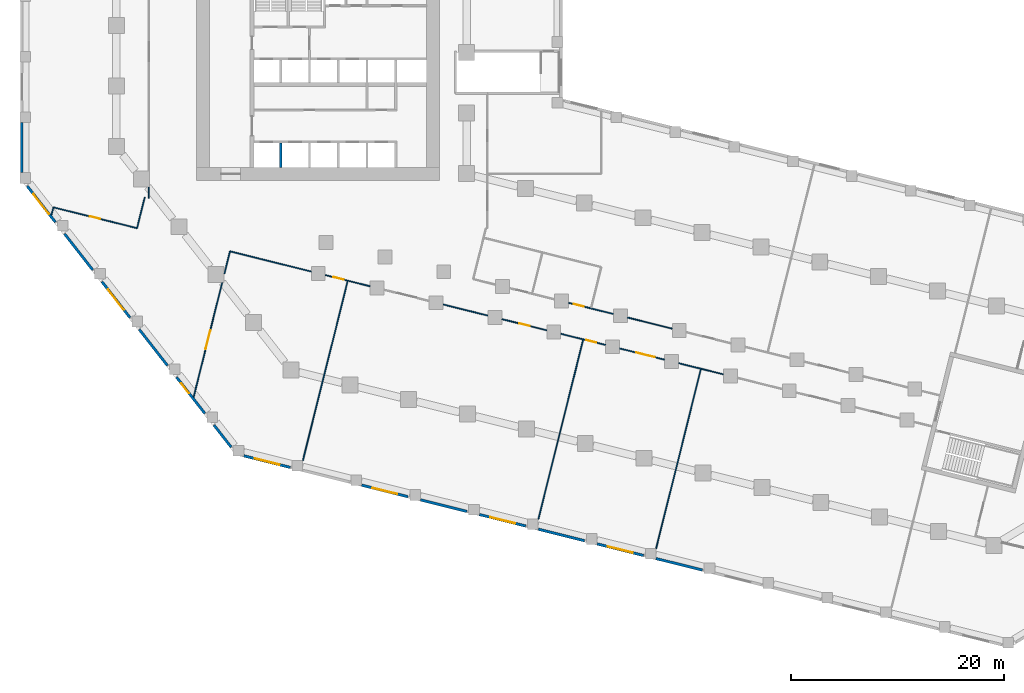
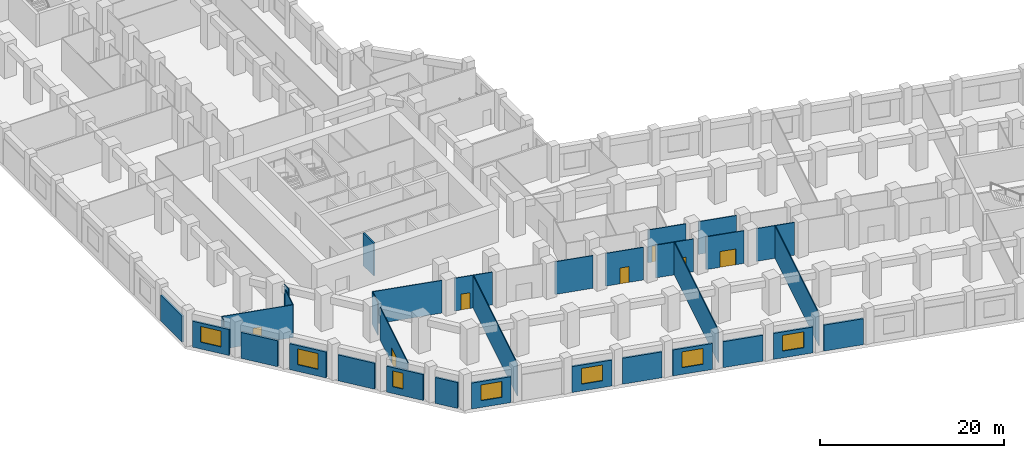
# One storey, part 4 of 13: 33 walls, 7 doors, 7 windows, 14 openings.
"""IFC4 building model written with IfcOpenShell, lengths in metres."""

from ifc_helpers import new_model, si_unit, direction, frame, frame_2d, origin, place, context, subcontext, project, spatial, rectangle, extrude, material, layer, layer_set, type_object, element, fill, save


model = new_model("IFC4")

# Units and contexts
model_context = context("Model", 3, precision=1e-05, world=origin(), true_north=direction((0.0, 1.0)))
body_context = subcontext(model_context, "Body", "Model", "MODEL_VIEW")
ifc_project = project(units=[si_unit("LENGTHUNIT", "METRE"), si_unit("AREAUNIT", "SQUARE_METRE"), si_unit("VOLUMEUNIT", "CUBIC_METRE"), si_unit("PLANEANGLEUNIT", "RADIAN"), si_unit("MASSUNIT", "GRAM", prefix="KILO")], contexts=[model_context])

# Site, building, storey
site_placement = place(None, origin())
site = spatial("IfcSite", under=ifc_project, at=site_placement, CompositionType="ELEMENT")
building_placement = place(site_placement, origin())
building = spatial("IfcBuilding", under=site, at=building_placement, Name="Meshkara Civic Tower", CompositionType="ELEMENT")
storey_placement = place(building_placement, frame((0.0, 0.0, 28.199951171875)))
storey = spatial("IfcBuildingStorey", under=building, at=storey_placement, Name="L05", CompositionType="ELEMENT", Elevation=28.199951171875)

# Wall
ifc_material_1 = material(Name="Corridor wall 100")
ifc_layer_1 = layer(ifc_material_1, 0.10009765625)
ifc_layer_set_1 = layer_set([ifc_layer_1], Name="Corridor wall 100")
wall_type_1 = type_object("IfcWallType", Name="Corridor wall 100", PredefinedType="PARTITIONING", material=ifc_layer_set_1)
wall_1_placement = place(storey_placement, frame((-5.464111328125, 11.56494140625, 0.0), z_axis=(0.0, 0.0, 1.0), x_axis=(-0.24207252228, -0.970258158408, 0.0)))
element("IfcWall", 1, at=wall_1_placement, inside=storey, type_object=wall_type_1, Name="L05-R001", PredefinedType="PARTITIONING", context=body_context, shape_type="SweptSolid", body=[
    extrude(rectangle(XDim=0.744384765625, YDim=0.10009765625, at=frame_2d((0.3720703125, 0.0))), origin(), (0.0, 0.0, 1.0), 4.35009765625),
])

# Wall, opening, door
wall_2_placement = place(storey_placement, frame((2.39501953125, 9.60595703125, 0.0), z_axis=(0.0, 0.0, 1.0), x_axis=(-0.97031070843, 0.241861797535, 0.0)))
wall_2 = element("IfcWall", 2, at=wall_2_placement, inside=storey, type_object=wall_type_1, Name="L05-R005", PredefinedType="PARTITIONING", context=body_context, shape_type="SweptSolid", body=[
    extrude(rectangle(XDim=8.099609375, YDim=0.10009765625, at=frame_2d((4.0498046875, 0.0))), origin(), (0.0, 0.0, 1.0), 4.35009765625),
])
opening_1_placement = place(wall_2_placement, frame((3.580078125, 0.0, 0.0)))
opening_1 = element("IfcOpeningElement", 3, at=opening_1_placement, cuts=wall_2, Name="Opening L05-P020", PredefinedType="OPENING", context=body_context, shape_type="SweptSolid", body=[
    extrude(rectangle(XDim=1.0, YDim=2.10009765625, at=frame_2d((0.5, 1.050048828125))), frame((0.0, 0.06005859375, 0.0), z_axis=(0.0, -1.0, 0.0), x_axis=(1.0, 0.0, 0.0)), (0.0, 0.0, 1.0), 0.1201171875),
])
ifc_material_2 = material(Name="Door 1000 x 2100")
door_type_1 = type_object("IfcDoorType", Name="Door 1000 x 2100", OperationType="SINGLE_SWING_LEFT", PredefinedType="DOOR", material=ifc_material_2)
door_1_placement = place(opening_1_placement, origin())
door_1 = element("IfcDoor", 4, at=door_1_placement, inside=storey, type_object=door_type_1, Name="L05-P020", OperationType="SINGLE_SWING_LEFT", OverallHeight=2.10009765625, OverallWidth=1.0, PredefinedType="DOOR", context=body_context, shape_type="SweptSolid", body=[
    extrude(rectangle(XDim=1.0, YDim=2.10009765625, at=frame_2d((0.5, 1.050048828125))), frame((0.0, 0.02490234375, 0.0), z_axis=(0.0, -1.0, 0.0), x_axis=(1.0, 0.0, 0.0)), (0.0, 0.0, 1.0), 0.050048828125),
])
fill(opening_1, door_1)

# Walls
wall_3_placement = place(storey_placement, frame((3.12109375, 12.51708984375, 0.0), z_axis=(0.0, 0.0, 1.0), x_axis=(-0.241999491975, -0.970276376031, 0.0)))
element("IfcWall", 5, at=wall_3_placement, inside=storey, type_object=wall_type_1, Name="L05-R006", PredefinedType="PARTITIONING", context=body_context, shape_type="SweptSolid", body=[
    extrude(rectangle(XDim=3.000244140625, YDim=0.10009765625, at=frame_2d((1.5, 0.0))), origin(), (0.0, 0.0, 1.0), 4.35009765625),
])
wall_4_placement = place(storey_placement, frame((3.5, 13.458984375, 0.0), z_axis=(0.0, 0.0, 1.0), x_axis=(0.0, -1.0, 0.0)))
element("IfcWall", 6, at=wall_4_placement, inside=storey, type_object=wall_type_1, Name="L05-R007", PredefinedType="PARTITIONING", context=body_context, shape_type="SweptSolid", body=[
    extrude(rectangle(XDim=1.035888671875, YDim=0.10009765625, at=frame_2d((0.51806640625, 0.0))), origin(), (0.0, 0.0, 1.0), 4.35009765625),
])

# Wall, opening, door
wall_5_placement = place(storey_placement, frame((7.715576171875, -6.25732421875, 0.0), z_axis=(0.0, 0.0, 1.0), x_axis=(0.241891576484, 0.970303285177, 0.0)))
wall_5 = element("IfcWall", 7, at=wall_5_placement, inside=storey, type_object=wall_type_1, Name="L05-R010", PredefinedType="PARTITIONING", context=body_context, shape_type="SweptSolid", body=[
    extrude(rectangle(XDim=11.060791015625, YDim=0.10009765625, at=frame_2d((5.5302734375, 0.0))), origin(), (0.0, 0.0, 1.0), 4.35009765625),
])
opening_2_placement = place(wall_5_placement, frame((4.644287109375, 0.0, 0.0)))
opening_2 = element("IfcOpeningElement", 8, at=opening_2_placement, cuts=wall_5, Name="Opening L05-P007", PredefinedType="OPENING", context=body_context, shape_type="SweptSolid", body=[
    extrude(rectangle(XDim=1.800048828125, YDim=2.10009765625, at=frame_2d((0.89990234375, 1.050048828125))), frame((0.0, 0.06005859375, 0.0), z_axis=(0.0, -1.0, 0.0), x_axis=(1.0, 0.0, 0.0)), (0.0, 0.0, 1.0), 0.1201171875),
])
ifc_material_3 = material(Name="Door pair 1800 x 2100")
door_type_2 = type_object("IfcDoorType", Name="Door pair 1800 x 2100", OperationType="SINGLE_SWING_LEFT", PredefinedType="DOOR", material=ifc_material_3)
door_2_placement = place(opening_2_placement, origin())
door_2 = element("IfcDoor", 9, at=door_2_placement, inside=storey, type_object=door_type_2, Name="L05-P007", OperationType="DOUBLE_DOOR_SINGLE_SWING", OverallHeight=2.10009765625, OverallWidth=1.800048828125, PredefinedType="DOOR", context=body_context, shape_type="SweptSolid", body=[
    extrude(rectangle(XDim=1.800048828125, YDim=2.10009765625, at=frame_2d((0.89990234375, 1.050048828125))), frame((0.0, 0.02490234375, 0.0), z_axis=(0.0, -1.0, 0.0), x_axis=(1.0, 0.0, 0.0)), (0.0, 0.0, 1.0), 0.050048828125),
])
fill(opening_2, door_2)

# Walls
wall_6_placement = place(storey_placement, frame((10.60302734375, 5.322998046875, 0.0), z_axis=(0.0, 0.0, 1.0), x_axis=(0.241847407238, 0.970314295273, 0.0)))
element("IfcWall", 10, at=wall_6_placement, inside=storey, type_object=wall_type_1, Name="L05-R018", PredefinedType="PARTITIONING", context=body_context, shape_type="SweptSolid", body=[
    extrude(rectangle(XDim=2.17041015625, YDim=0.10009765625, at=frame_2d((1.085205078125, 0.0))), origin(), (0.0, 0.0, 1.0), 4.35009765625),
])
wall_7_placement = place(storey_placement, frame((11.1279296875, 7.428955078125, 0.0), z_axis=(0.0, 0.0, 1.0), x_axis=(0.970281210621, -0.241980107272, 0.0)))
element("IfcWall", 11, at=wall_7_placement, inside=storey, type_object=wall_type_1, Name="L05-R021", PredefinedType="PARTITIONING", context=body_context, shape_type="SweptSolid", body=[
    extrude(rectangle(XDim=7.859619140625, YDim=0.10009765625, at=frame_2d((3.9296875, 0.0))), origin(), (0.0, 0.0, 1.0), 4.35009765625),
])

# Wall, opening, door
wall_8_placement = place(storey_placement, frame((20.093994140625, 5.193115234375, 0.0), z_axis=(0.0, 0.0, 1.0), x_axis=(0.970321828551, -0.241817181023, 0.0)))
wall_8 = element("IfcWall", 12, at=wall_8_placement, inside=storey, type_object=wall_type_1, Name="L05-R032", PredefinedType="PARTITIONING", context=body_context, shape_type="SweptSolid", body=[
    extrude(rectangle(XDim=4.318115234375, YDim=0.10009765625, at=frame_2d((2.1591796875, 0.0))), origin(), (0.0, 0.0, 1.0), 4.35009765625),
])
opening_3_placement = place(wall_8_placement, frame((0.780029296875, 0.0, 0.0)))
opening_3 = element("IfcOpeningElement", 13, at=opening_3_placement, cuts=wall_8, Name="Opening L05-P015", PredefinedType="OPENING", context=body_context, shape_type="SweptSolid", body=[
    extrude(rectangle(XDim=1.0, YDim=2.10009765625, at=frame_2d((0.5, 1.050048828125))), frame((0.0, 0.06005859375, 0.0), z_axis=(0.0, -1.0, 0.0), x_axis=(1.0, 0.0, 0.0)), (0.0, 0.0, 1.0), 0.1201171875),
])
door_3_placement = place(opening_3_placement, origin())
door_3 = element("IfcDoor", 14, at=door_3_placement, inside=storey, type_object=door_type_1, Name="L05-P015", OperationType="SINGLE_SWING_LEFT", OverallHeight=2.10009765625, OverallWidth=1.0, PredefinedType="DOOR", context=body_context, shape_type="SweptSolid", body=[
    extrude(rectangle(XDim=1.0, YDim=2.10009765625, at=frame_2d((0.5, 1.050048828125))), frame((0.0, 0.02490234375, 0.0), z_axis=(0.0, -1.0, 0.0), x_axis=(1.0, 0.0, 0.0)), (0.0, 0.0, 1.0), 0.050048828125),
])
fill(opening_3, door_3)

# Wall
wall_9_placement = place(storey_placement, frame((31.155029296875, 2.43505859375, 0.0), z_axis=(0.0, 0.0, 1.0), x_axis=(0.970348308202, -0.24171090329, 0.0)))
element("IfcWall", 15, at=wall_9_placement, inside=storey, type_object=wall_type_1, Name="L05-R042", PredefinedType="PARTITIONING", context=body_context, shape_type="SweptSolid", body=[
    extrude(rectangle(XDim=4.319091796875, YDim=0.10009765625, at=frame_2d((2.15966796875, 0.0))), origin(), (0.0, 0.0, 1.0), 4.35009765625),
])

# Wall, opening, door
wall_10_placement = place(storey_placement, frame((36.68603515625, 1.055908203125, 0.0), z_axis=(0.0, 0.0, 1.0), x_axis=(0.970335093604, -0.241763947107, 0.0)))
wall_10 = element("IfcWall", 16, at=wall_10_placement, inside=storey, type_object=wall_type_1, Name="L05-R052", PredefinedType="PARTITIONING", context=body_context, shape_type="SweptSolid", body=[
    extrude(rectangle(XDim=4.318115234375, YDim=0.10009765625, at=frame_2d((2.1591796875, 0.0))), origin(), (0.0, 0.0, 1.0), 4.35009765625),
])
opening_4_placement = place(wall_10_placement, frame((1.679931640625, 0.0, 0.0)))
opening_4 = element("IfcOpeningElement", 17, at=opening_4_placement, cuts=wall_10, Name="Opening L05-P018", PredefinedType="OPENING", context=body_context, shape_type="SweptSolid", body=[
    extrude(rectangle(XDim=1.0, YDim=2.10009765625, at=frame_2d((0.5, 1.050048828125))), frame((0.0, 0.06005859375, 0.0), z_axis=(0.0, -1.0, 0.0), x_axis=(1.0, 0.0, 0.0)), (0.0, 0.0, 1.0), 0.1201171875),
])
door_4_placement = place(opening_4_placement, origin())
door_4 = element("IfcDoor", 18, at=door_4_placement, inside=storey, type_object=door_type_1, Name="L05-P018", OperationType="SINGLE_SWING_RIGHT", OverallHeight=2.10009765625, OverallWidth=1.0, PredefinedType="DOOR", context=body_context, shape_type="SweptSolid", body=[
    extrude(rectangle(XDim=1.0, YDim=2.10009765625, at=frame_2d((0.5, 1.050048828125))), frame((0.0, 0.02490234375, 0.0), z_axis=(0.0, -1.0, 0.0), x_axis=(1.0, 0.0, 0.0)), (0.0, 0.0, 1.0), 0.050048828125),
])
fill(opening_4, door_4)

wall_11_placement = place(storey_placement, frame((42.216064453125, -0.322021484375, 0.0), z_axis=(0.0, 0.0, 1.0), x_axis=(0.970295255208, -0.241923784941, 0.0)))
wall_11 = element("IfcWall", 19, at=wall_11_placement, inside=storey, type_object=wall_type_1, Name="L05-R055", PredefinedType="PARTITIONING", context=body_context, shape_type="SweptSolid", body=[
    extrude(rectangle(XDim=4.3193359375, YDim=0.10009765625, at=frame_2d((2.15966796875, 0.0))), origin(), (0.0, 0.0, 1.0), 4.35009765625),
])
opening_5_placement = place(wall_11_placement, frame((2.43994140625, 0.0, 0.0)))
opening_5 = element("IfcOpeningElement", 20, at=opening_5_placement, cuts=wall_11, Name="Opening L05-P008", PredefinedType="OPENING", context=body_context, shape_type="SweptSolid", body=[
    extrude(rectangle(XDim=1.0, YDim=2.10009765625, at=frame_2d((0.5, 1.050048828125))), frame((0.0, 0.06005859375, 0.0), z_axis=(0.0, -1.0, 0.0), x_axis=(1.0, 0.0, 0.0)), (0.0, 0.0, 1.0), 0.1201171875),
])
door_5_placement = place(opening_5_placement, origin())
door_5 = element("IfcDoor", 21, at=door_5_placement, inside=storey, type_object=door_type_1, Name="L05-P008", OperationType="SINGLE_SWING_RIGHT", OverallHeight=2.10009765625, OverallWidth=1.0, PredefinedType="DOOR", context=body_context, shape_type="SweptSolid", body=[
    extrude(rectangle(XDim=1.0, YDim=2.10009765625, at=frame_2d((0.5, 1.050048828125))), frame((0.0, 0.02490234375, 0.0), z_axis=(0.0, -1.0, 0.0), x_axis=(1.0, 0.0, 0.0)), (0.0, 0.0, 1.0), 0.050048828125),
])
fill(opening_5, door_5)

wall_12_placement = place(storey_placement, frame((42.94189453125, 2.589111328125, 0.0), z_axis=(0.0, 0.0, 1.0), x_axis=(0.970285294909, -0.241963729685, 0.0)))
wall_12 = element("IfcWall", 22, at=wall_12_placement, inside=storey, type_object=wall_type_1, Name="L05-R056", PredefinedType="PARTITIONING", context=body_context, shape_type="SweptSolid", body=[
    extrude(rectangle(XDim=4.319580078125, YDim=0.10009765625, at=frame_2d((2.15966796875, 0.0))), origin(), (0.0, 0.0, 1.0), 4.35009765625),
])
opening_6_placement = place(wall_12_placement, frame((0.47998046875, 0.0, 0.0)))
opening_6 = element("IfcOpeningElement", 23, at=opening_6_placement, cuts=wall_12, Name="Opening L05-P019", PredefinedType="OPENING", context=body_context, shape_type="SweptSolid", body=[
    extrude(rectangle(XDim=1.0, YDim=2.10009765625, at=frame_2d((0.5, 1.050048828125))), frame((0.0, 0.06005859375, 0.0), z_axis=(0.0, -1.0, 0.0), x_axis=(1.0, 0.0, 0.0)), (0.0, 0.0, 1.0), 0.1201171875),
])
door_6_placement = place(opening_6_placement, origin())
door_6 = element("IfcDoor", 24, at=door_6_placement, inside=storey, type_object=door_type_1, Name="L05-P019", OperationType="SINGLE_SWING_RIGHT", OverallHeight=2.10009765625, OverallWidth=1.0, PredefinedType="DOOR", context=body_context, shape_type="SweptSolid", body=[
    extrude(rectangle(XDim=1.0, YDim=2.10009765625, at=frame_2d((0.5, 1.050048828125))), frame((0.0, 0.02490234375, 0.0), z_axis=(0.0, -1.0, 0.0), x_axis=(1.0, 0.0, 0.0)), (0.0, 0.0, 1.0), 0.050048828125),
])
fill(opening_6, door_6)

wall_13_placement = place(storey_placement, frame((47.7470703125, -1.700927734375, 0.0), z_axis=(0.0, 0.0, 1.0), x_axis=(0.970228881464, -0.242189837881, 0.0)))
wall_13 = element("IfcWall", 25, at=wall_13_placement, inside=storey, type_object=wall_type_1, Name="L05-R057", PredefinedType="PARTITIONING", context=body_context, shape_type="SweptSolid", body=[
    extrude(rectangle(XDim=4.319580078125, YDim=0.10009765625, at=frame_2d((2.15966796875, 0.0))), origin(), (0.0, 0.0, 1.0), 4.35009765625),
])
opening_7_placement = place(wall_13_placement, frame((1.580078125, 0.0, 0.0)))
opening_7 = element("IfcOpeningElement", 26, at=opening_7_placement, cuts=wall_13, Name="Opening L05-P009", PredefinedType="OPENING", context=body_context, shape_type="SweptSolid", body=[
    extrude(rectangle(XDim=1.800048828125, YDim=2.10009765625, at=frame_2d((0.89990234375, 1.050048828125))), frame((0.0, 0.06005859375, 0.0), z_axis=(0.0, -1.0, 0.0), x_axis=(1.0, 0.0, 0.0)), (0.0, 0.0, 1.0), 0.1201171875),
])
door_7_placement = place(opening_7_placement, origin())
door_7 = element("IfcDoor", 27, at=door_7_placement, inside=storey, type_object=door_type_2, Name="L05-P009", OperationType="DOUBLE_DOOR_SINGLE_SWING", OverallHeight=2.10009765625, OverallWidth=1.800048828125, PredefinedType="DOOR", context=body_context, shape_type="SweptSolid", body=[
    extrude(rectangle(XDim=1.800048828125, YDim=2.10009765625, at=frame_2d((0.89990234375, 1.050048828125))), frame((0.0, 0.02490234375, 0.0), z_axis=(0.0, -1.0, 0.0), x_axis=(1.0, 0.0, 0.0)), (0.0, 0.0, 1.0), 0.050048828125),
])
fill(opening_7, door_7)

# Walls
for number, where, z_axis, x_axis, name in (
    (28, (52.6640625, 0.1650390625, 0.0), (0.0, 0.0, 1.0), (-0.970298563138, 0.241910517285, 0.0), "L05-R058"),
    (29, (53.278076171875, -3.0810546875, 0.0), (0.0, 0.0, 1.0), (0.970295255208, -0.241923784941, 0.0), "L05-R059"),
):
    element("IfcWall", number, at=place(storey_placement, frame(where, z_axis=z_axis, x_axis=x_axis)), inside=storey, type_object=wall_type_1, Name=name, PredefinedType="PARTITIONING", context=body_context, shape_type="SweptSolid", body=[
        extrude(rectangle(XDim=4.3193359375, YDim=0.10009765625, at=frame_2d((2.15966796875, 0.0))), origin(), (0.0, 0.0, 1.0), 4.35009765625),
    ])
ifc_material_4 = material(Name="Stone cladding on insulated backing wall", Category="masonry")
ifc_layer_2 = layer(ifc_material_4, 0.25)
ifc_layer_set_2 = layer_set([ifc_layer_2], Name="PODIUM STONE WALL 250")
wall_type_2 = type_object("IfcWallType", Name="PODIUM STONE WALL 250", PredefinedType="SOLIDWALL", material=ifc_layer_set_2)
wall_14_placement = place(storey_placement, frame((-8.425048828125, 19.510986328125, 0.0), z_axis=(0.0, 0.0, 1.0), x_axis=(0.0, -1.0, 0.0)))
element("IfcWall", 30, at=wall_14_placement, inside=storey, type_object=wall_type_2, Name="Podium external wall", PredefinedType="SOLIDWALL", context=body_context, shape_type="SweptSolid", body=[
    extrude(rectangle(XDim=4.699951171875, YDim=0.25, at=frame_2d((2.35009765625, 0.0))), origin(), (0.0, 0.0, 1.0), 3.449951171875),
])

# Wall, opening, window
wall_15_placement = place(storey_placement, frame((-7.924072265625, 13.55810546875, 0.0), z_axis=(0.0, 0.0, 1.0), x_axis=(0.615603242749, -0.788056246417, 0.0)))
wall_15 = element("IfcWall", 31, at=wall_15_placement, inside=storey, type_object=wall_type_2, Name="Podium external wall", PredefinedType="SOLIDWALL", context=body_context, shape_type="SweptSolid", body=[
    extrude(rectangle(XDim=4.296630859375, YDim=0.25, at=frame_2d((2.1484375, 0.0))), origin(), (0.0, 0.0, 1.0), 3.449951171875),
])
opening_8_placement = place(wall_15_placement, frame((0.947998046875, 0.0, 0.89990234375)))
opening_8 = element("IfcOpeningElement", 32, at=opening_8_placement, cuts=wall_15, Name="Opening PW10", PredefinedType="OPENING", context=body_context, shape_type="SweptSolid", body=[
    extrude(rectangle(XDim=2.39990234375, YDim=2.10009765625, at=frame_2d((1.199951171875, 1.050048828125))), frame((0.0, 0.135009765625, 0.0), z_axis=(0.0, -1.0, 0.0), x_axis=(1.0, 0.0, 0.0)), (0.0, 0.0, 1.0), 0.27001953125),
])
ifc_material_5 = material(Name="Tinted double glazing", Category="glass")
window_type_1 = type_object("IfcWindowType", Name="PODIUM WINDOW 2400x2100", PartitioningType="DOUBLE_PANEL_VERTICAL", PredefinedType="WINDOW", material=ifc_material_5)
window_1_placement = place(opening_8_placement, origin())
window_1 = element("IfcWindow", 33, at=window_1_placement, inside=storey, type_object=window_type_1, Name="Podium window", OverallHeight=2.10009765625, OverallWidth=2.39990234375, PartitioningType="DOUBLE_PANEL_VERTICAL", PredefinedType="WINDOW", context=body_context, shape_type="SweptSolid", body=[
    extrude(rectangle(XDim=2.39990234375, YDim=2.10009765625, at=frame_2d((1.199951171875, 1.050048828125))), frame((0.0, 0.030029296875, 0.0), z_axis=(0.0, -1.0, 0.0), x_axis=(1.0, 0.0, 0.0)), (0.0, 0.0, 1.0), 0.06005859375),
])
fill(opening_8, window_1)

# Wall
wall_16_placement = place(storey_placement, frame((-4.4150390625, 9.06591796875, 0.0), z_axis=(0.0, 0.0, 1.0), x_axis=(0.615713519567, -0.787970089421, 0.0)))
element("IfcWall", 34, at=wall_16_placement, inside=storey, type_object=wall_type_2, Name="Podium external wall", PredefinedType="SOLIDWALL", context=body_context, shape_type="SweptSolid", body=[
    extrude(rectangle(XDim=4.2958984375, YDim=0.25, at=frame_2d((2.14794921875, 0.0))), origin(), (0.0, 0.0, 1.0), 3.449951171875),
])

# Wall, opening, window
wall_17_placement = place(storey_placement, frame((-0.906005859375, 4.574951171875, 0.0), z_axis=(0.0, 0.0, 1.0), x_axis=(0.61574436495, -0.787945986113, 0.0)))
wall_17 = element("IfcWall", 35, at=wall_17_placement, inside=storey, type_object=wall_type_2, Name="Podium external wall", PredefinedType="SOLIDWALL", context=body_context, shape_type="SweptSolid", body=[
    extrude(rectangle(XDim=4.297119140625, YDim=0.25, at=frame_2d((2.1484375, 0.0))), origin(), (0.0, 0.0, 1.0), 3.449951171875),
])
opening_9_placement = place(wall_17_placement, frame((0.948974609375, 0.0, 0.89990234375)))
opening_9 = element("IfcOpeningElement", 36, at=opening_9_placement, cuts=wall_17, Name="Opening PW10", PredefinedType="OPENING", context=body_context, shape_type="SweptSolid", body=[
    extrude(rectangle(XDim=2.39990234375, YDim=2.10009765625, at=frame_2d((1.199951171875, 1.050048828125))), frame((0.0, 0.135009765625, 0.0), z_axis=(0.0, -1.0, 0.0), x_axis=(1.0, 0.0, 0.0)), (0.0, 0.0, 1.0), 0.27001953125),
])
window_2_placement = place(opening_9_placement, origin())
window_2 = element("IfcWindow", 37, at=window_2_placement, inside=storey, type_object=window_type_1, Name="Podium window", OverallHeight=2.10009765625, OverallWidth=2.39990234375, PartitioningType="DOUBLE_PANEL_VERTICAL", PredefinedType="WINDOW", context=body_context, shape_type="SweptSolid", body=[
    extrude(rectangle(XDim=2.39990234375, YDim=2.10009765625, at=frame_2d((1.199951171875, 1.050048828125))), frame((0.0, 0.030029296875, 0.0), z_axis=(0.0, -1.0, 0.0), x_axis=(1.0, 0.0, 0.0)), (0.0, 0.0, 1.0), 0.06005859375),
])
fill(opening_9, window_2)

# Wall
wall_18_placement = place(storey_placement, frame((2.60400390625, 0.0830078125, 0.0), z_axis=(0.0, 0.0, 1.0), x_axis=(0.615603242749, -0.788056246417, 0.0)))
element("IfcWall", 38, at=wall_18_placement, inside=storey, type_object=wall_type_2, Name="Podium external wall", PredefinedType="SOLIDWALL", context=body_context, shape_type="SweptSolid", body=[
    extrude(rectangle(XDim=4.296630859375, YDim=0.25, at=frame_2d((2.1484375, 0.0))), origin(), (0.0, 0.0, 1.0), 3.449951171875),
])

# Wall, opening, window
wall_19_placement = place(storey_placement, frame((6.113037109375, -4.408935546875, 0.0), z_axis=(0.0, 0.0, 1.0), x_axis=(0.615603242749, -0.788056246417, 0.0)))
wall_19 = element("IfcWall", 39, at=wall_19_placement, inside=storey, type_object=wall_type_2, Name="Podium external wall", PredefinedType="SOLIDWALL", context=body_context, shape_type="SweptSolid", body=[
    extrude(rectangle(XDim=4.296630859375, YDim=0.25, at=frame_2d((2.1484375, 0.0))), origin(), (0.0, 0.0, 1.0), 3.449951171875),
])
opening_10_placement = place(wall_19_placement, frame((0.701904296875, 0.0, 0.89990234375)))
opening_10 = element("IfcOpeningElement", 40, at=opening_10_placement, cuts=wall_19, Name="Opening PW12", PredefinedType="OPENING", context=body_context, shape_type="SweptSolid", body=[
    extrude(rectangle(XDim=1.199951171875, YDim=2.10009765625, at=frame_2d((0.60009765625, 1.050048828125))), frame((0.0, 0.135009765625, 0.0), z_axis=(0.0, -1.0, 0.0), x_axis=(1.0, 0.0, 0.0)), (0.0, 0.0, 1.0), 0.27001953125),
])
ifc_material_6 = material(Name="Tinted double glazing", Category="glass")
window_type_2 = type_object("IfcWindowType", Name="PODIUM WINDOW 1200x2100", PartitioningType="SINGLE_PANEL", PredefinedType="WINDOW", material=ifc_material_6)
window_3_placement = place(opening_10_placement, origin())
window_3 = element("IfcWindow", 41, at=window_3_placement, inside=storey, type_object=window_type_2, Name="Podium window", OverallHeight=2.10009765625, OverallWidth=1.199951171875, PartitioningType="SINGLE_PANEL", PredefinedType="WINDOW", context=body_context, shape_type="SweptSolid", body=[
    extrude(rectangle(XDim=1.199951171875, YDim=2.10009765625, at=frame_2d((0.60009765625, 1.050048828125))), frame((0.0, 0.030029296875, 0.0), z_axis=(0.0, -1.0, 0.0), x_axis=(1.0, 0.0, 0.0)), (0.0, 0.0, 1.0), 0.06005859375),
])
fill(opening_10, window_3)

# Wall
wall_20_placement = place(storey_placement, frame((9.6220703125, -8.90087890625, 0.0), z_axis=(0.0, 0.0, 1.0), x_axis=(0.615703609525, -0.787977832948, 0.0)))
element("IfcWall", 42, at=wall_20_placement, inside=storey, type_object=wall_type_2, Name="Podium external wall", PredefinedType="SOLIDWALL", context=body_context, shape_type="SweptSolid", body=[
    extrude(rectangle(XDim=2.62451171875, YDim=0.25, at=frame_2d((1.312255859375, 0.0))), origin(), (0.0, 0.0, 1.0), 3.449951171875),
])

# Wall, opening, window
wall_21_placement = place(storey_placement, frame((12.43603515625, -11.783935546875, 0.0), z_axis=(0.0, 0.0, 1.0), x_axis=(0.970263990019, -0.242049147224, 0.0)))
wall_21 = element("IfcWall", 43, at=wall_21_placement, inside=storey, type_object=wall_type_2, Name="Podium external wall", PredefinedType="SOLIDWALL", context=body_context, shape_type="SweptSolid", body=[
    extrude(rectangle(XDim=4.487548828125, YDim=0.25, at=frame_2d((2.24365234375, 0.0))), origin(), (0.0, 0.0, 1.0), 3.449951171875),
])
opening_11_placement = place(wall_21_placement, frame((1.0439453125, 0.0, 0.89990234375)))
opening_11 = element("IfcOpeningElement", 44, at=opening_11_placement, cuts=wall_21, Name="Opening PW10", PredefinedType="OPENING", context=body_context, shape_type="SweptSolid", body=[
    extrude(rectangle(XDim=2.39990234375, YDim=2.10009765625, at=frame_2d((1.199951171875, 1.050048828125))), frame((0.0, 0.135009765625, 0.0), z_axis=(0.0, -1.0, 0.0), x_axis=(1.0, 0.0, 0.0)), (0.0, 0.0, 1.0), 0.27001953125),
])
window_4_placement = place(opening_11_placement, origin())
window_4 = element("IfcWindow", 45, at=window_4_placement, inside=storey, type_object=window_type_1, Name="Podium window", OverallHeight=2.10009765625, OverallWidth=2.39990234375, PartitioningType="DOUBLE_PANEL_VERTICAL", PredefinedType="WINDOW", context=body_context, shape_type="SweptSolid", body=[
    extrude(rectangle(XDim=2.39990234375, YDim=2.10009765625, at=frame_2d((1.199951171875, 1.050048828125))), frame((0.0, 0.030029296875, 0.0), z_axis=(0.0, -1.0, 0.0), x_axis=(1.0, 0.0, 0.0)), (0.0, 0.0, 1.0), 0.06005859375),
])
fill(opening_11, window_4)

wall_22_placement = place(storey_placement, frame((23.4970703125, -14.5419921875, 0.0), z_axis=(0.0, 0.0, 1.0), x_axis=(0.970327846266, -0.241793032904, 0.0)))
wall_22 = element("IfcWall", 46, at=wall_22_placement, inside=storey, type_object=wall_type_2, Name="Podium external wall", PredefinedType="SOLIDWALL", context=body_context, shape_type="SweptSolid", body=[
    extrude(rectangle(XDim=4.487060546875, YDim=0.25, at=frame_2d((2.24365234375, 0.0))), origin(), (0.0, 0.0, 1.0), 3.449951171875),
])
opening_12_placement = place(wall_22_placement, frame((1.0439453125, 0.0, 0.89990234375)))
opening_12 = element("IfcOpeningElement", 47, at=opening_12_placement, cuts=wall_22, Name="Opening PW10", PredefinedType="OPENING", context=body_context, shape_type="SweptSolid", body=[
    extrude(rectangle(XDim=2.39990234375, YDim=2.10009765625, at=frame_2d((1.199951171875, 1.050048828125))), frame((0.0, 0.135009765625, 0.0), z_axis=(0.0, -1.0, 0.0), x_axis=(1.0, 0.0, 0.0)), (0.0, 0.0, 1.0), 0.27001953125),
])
window_5_placement = place(opening_12_placement, origin())
window_5 = element("IfcWindow", 48, at=window_5_placement, inside=storey, type_object=window_type_1, Name="Podium window", OverallHeight=2.10009765625, OverallWidth=2.39990234375, PartitioningType="DOUBLE_PANEL_VERTICAL", PredefinedType="WINDOW", context=body_context, shape_type="SweptSolid", body=[
    extrude(rectangle(XDim=2.39990234375, YDim=2.10009765625, at=frame_2d((1.199951171875, 1.050048828125))), frame((0.0, 0.030029296875, 0.0), z_axis=(0.0, -1.0, 0.0), x_axis=(1.0, 0.0, 0.0)), (0.0, 0.0, 1.0), 0.06005859375),
])
fill(opening_12, window_5)

# Wall
wall_23_placement = place(storey_placement, frame((29.028076171875, -15.9208984375, 0.0), z_axis=(0.0, 0.0, 1.0), x_axis=(0.970315079753, -0.241844259813, 0.0)))
element("IfcWall", 49, at=wall_23_placement, inside=storey, type_object=wall_type_2, Name="Podium external wall", PredefinedType="SOLIDWALL", context=body_context, shape_type="SweptSolid", body=[
    extrude(rectangle(XDim=4.4873046875, YDim=0.25, at=frame_2d((2.24365234375, 0.0))), origin(), (0.0, 0.0, 1.0), 3.449951171875),
])

# Wall, opening, window
wall_24_placement = place(storey_placement, frame((34.55908203125, -17.300048828125, 0.0), z_axis=(0.0, 0.0, 1.0), x_axis=(0.970327846266, -0.241793032904, 0.0)))
wall_24 = element("IfcWall", 50, at=wall_24_placement, inside=storey, type_object=wall_type_2, Name="Podium external wall", PredefinedType="SOLIDWALL", context=body_context, shape_type="SweptSolid", body=[
    extrude(rectangle(XDim=4.487060546875, YDim=0.25, at=frame_2d((2.24365234375, 0.0))), origin(), (0.0, 0.0, 1.0), 3.449951171875),
])
opening_13_placement = place(wall_24_placement, frame((1.0439453125, 0.0, 0.89990234375)))
opening_13 = element("IfcOpeningElement", 51, at=opening_13_placement, cuts=wall_24, Name="Opening PW10", PredefinedType="OPENING", context=body_context, shape_type="SweptSolid", body=[
    extrude(rectangle(XDim=2.39990234375, YDim=2.10009765625, at=frame_2d((1.199951171875, 1.050048828125))), frame((0.0, 0.135009765625, 0.0), z_axis=(0.0, -1.0, 0.0), x_axis=(1.0, 0.0, 0.0)), (0.0, 0.0, 1.0), 0.27001953125),
])
window_6_placement = place(opening_13_placement, origin())
window_6 = element("IfcWindow", 52, at=window_6_placement, inside=storey, type_object=window_type_1, Name="Podium window", OverallHeight=2.10009765625, OverallWidth=2.39990234375, PartitioningType="DOUBLE_PANEL_VERTICAL", PredefinedType="WINDOW", context=body_context, shape_type="SweptSolid", body=[
    extrude(rectangle(XDim=2.39990234375, YDim=2.10009765625, at=frame_2d((1.199951171875, 1.050048828125))), frame((0.0, 0.030029296875, 0.0), z_axis=(0.0, -1.0, 0.0), x_axis=(1.0, 0.0, 0.0)), (0.0, 0.0, 1.0), 0.06005859375),
])
fill(opening_13, window_6)

# Wall
wall_25_placement = place(storey_placement, frame((40.089111328125, -18.677978515625, 0.0), z_axis=(0.0, 0.0, 1.0), x_axis=(0.970276766004, -0.241997928406, 0.0)))
element("IfcWall", 53, at=wall_25_placement, inside=storey, type_object=wall_type_2, Name="Podium external wall", PredefinedType="SOLIDWALL", context=body_context, shape_type="SweptSolid", body=[
    extrude(rectangle(XDim=4.4873046875, YDim=0.25, at=frame_2d((2.24365234375, 0.0))), origin(), (0.0, 0.0, 1.0), 3.449951171875),
])

# Wall, opening, window
wall_26_placement = place(storey_placement, frame((45.618896484375, -20.056884765625, 0.0), z_axis=(0.0, 0.0, 1.0), x_axis=(0.970279921141, -0.241985277715, 0.0)))
wall_26 = element("IfcWall", 54, at=wall_26_placement, inside=storey, type_object=wall_type_2, Name="Podium external wall", PredefinedType="SOLIDWALL", context=body_context, shape_type="SweptSolid", body=[
    extrude(rectangle(XDim=4.488525390625, YDim=0.25, at=frame_2d((2.244140625, 0.0))), origin(), (0.0, 0.0, 1.0), 3.449951171875),
])
opening_14_placement = place(wall_26_placement, frame((1.0439453125, 0.0, 0.89990234375)))
opening_14 = element("IfcOpeningElement", 55, at=opening_14_placement, cuts=wall_26, Name="Opening PW10", PredefinedType="OPENING", context=body_context, shape_type="SweptSolid", body=[
    extrude(rectangle(XDim=2.39990234375, YDim=2.10009765625, at=frame_2d((1.199951171875, 1.050048828125))), frame((0.0, 0.135009765625, 0.0), z_axis=(0.0, -1.0, 0.0), x_axis=(1.0, 0.0, 0.0)), (0.0, 0.0, 1.0), 0.27001953125),
])
window_7_placement = place(opening_14_placement, origin())
window_7 = element("IfcWindow", 56, at=window_7_placement, inside=storey, type_object=window_type_1, Name="Podium window", OverallHeight=2.10009765625, OverallWidth=2.39990234375, PartitioningType="DOUBLE_PANEL_VERTICAL", PredefinedType="WINDOW", context=body_context, shape_type="SweptSolid", body=[
    extrude(rectangle(XDim=2.39990234375, YDim=2.10009765625, at=frame_2d((1.199951171875, 1.050048828125))), frame((0.0, 0.030029296875, 0.0), z_axis=(0.0, -1.0, 0.0), x_axis=(1.0, 0.0, 0.0)), (0.0, 0.0, 1.0), 0.06005859375),
])
fill(opening_14, window_7)

# Walls
wall_27_placement = place(storey_placement, frame((51.14990234375, -21.43603515625, 0.0), z_axis=(0.0, 0.0, 1.0), x_axis=(0.970289506684, -0.241946839653, 0.0)))
element("IfcWall", 57, at=wall_27_placement, inside=storey, type_object=wall_type_2, Name="Podium external wall", PredefinedType="SOLIDWALL", context=body_context, shape_type="SweptSolid", body=[
    extrude(rectangle(XDim=4.48828125, YDim=0.25, at=frame_2d((2.244140625, 0.0))), origin(), (0.0, 0.0, 1.0), 3.449951171875),
])
ifc_material_7 = material(Name="Partition 100")
ifc_layer_3 = layer(ifc_material_7, 0.10009765625)
ifc_layer_set_3 = layer_set([ifc_layer_3], Name="Partition 100")
wall_type_3 = type_object("IfcWallType", Name="Partition 100", PredefinedType="PARTITIONING", material=ifc_layer_set_3)
wall_28_placement = place(storey_placement, frame((17.97705078125, -12.222900390625, 0.0), z_axis=(0.0, 0.0, 1.0), x_axis=(0.241923428609, 0.970295344053, 0.0)))
element("IfcWall", 58, at=wall_28_placement, inside=storey, type_object=wall_type_3, Name="L05-R089", PredefinedType="PARTITIONING", context=body_context, shape_type="SweptSolid", body=[
    extrude(rectangle(XDim=17.360595703125, YDim=0.10009765625, at=frame_2d((8.68017578125, 0.0))), origin(), (0.0, 0.0, 1.0), 4.35009765625),
])
wall_29_placement = place(storey_placement, frame((40.10009765625, -17.738037109375, 0.0), z_axis=(0.0, 0.0, 1.0), x_axis=(0.241936633614, 0.970292051557, 0.0)))
element("IfcWall", 59, at=wall_29_placement, inside=storey, type_object=wall_type_3, Name="L05-R102", PredefinedType="PARTITIONING", context=body_context, shape_type="SweptSolid", body=[
    extrude(rectangle(XDim=17.359619140625, YDim=0.10009765625, at=frame_2d((8.6796875, 0.0))), origin(), (0.0, 0.0, 1.0), 4.35009765625),
])
wall_30_placement = place(storey_placement, frame((51.160888671875, -20.49609375, 0.0), z_axis=(0.0, 0.0, 1.0), x_axis=(0.241949873986, 0.970288750052, 0.0)))
element("IfcWall", 60, at=wall_30_placement, inside=storey, type_object=wall_type_3, Name="L05-R106", PredefinedType="PARTITIONING", context=body_context, shape_type="SweptSolid", body=[
    extrude(rectangle(XDim=17.35986328125, YDim=0.10009765625, at=frame_2d((8.679931640625, 0.0))), origin(), (0.0, 0.0, 1.0), 4.35009765625),
])
ifc_material_8 = material(Name="Concrete C40/50", Category="concrete")
ifc_layer_4 = layer(ifc_material_8, 0.199951171875)
ifc_layer_set_4 = layer_set([ifc_layer_4], Name="Shaft wall 200 C40/50")
wall_type_4 = type_object("IfcWallType", Name="Shaft wall 200 C40/50", PredefinedType="SOLIDWALL", material=ifc_layer_set_4)
wall_31_placement = place(storey_placement, frame((15.89990234375, 15.300048828125, 0.0), z_axis=(0.0, 0.0, 1.0), x_axis=(0.0, 1.0, 0.0)))
element("IfcWall", 61, at=wall_31_placement, inside=storey, type_object=wall_type_4, Name="L05-C012", PredefinedType="SOLIDWALL", context=body_context, shape_type="SweptSolid", body=[
    extrude(rectangle(XDim=2.300048828125, YDim=0.199951171875, at=frame_2d((1.14990234375, 0.0))), origin(), (0.0, 0.0, 1.0), 4.35009765625),
])

save(model, "model.ifc")
